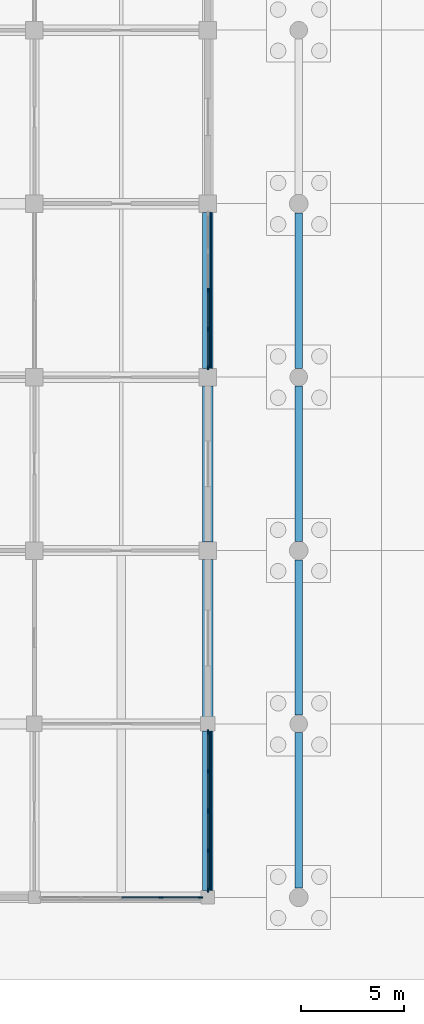
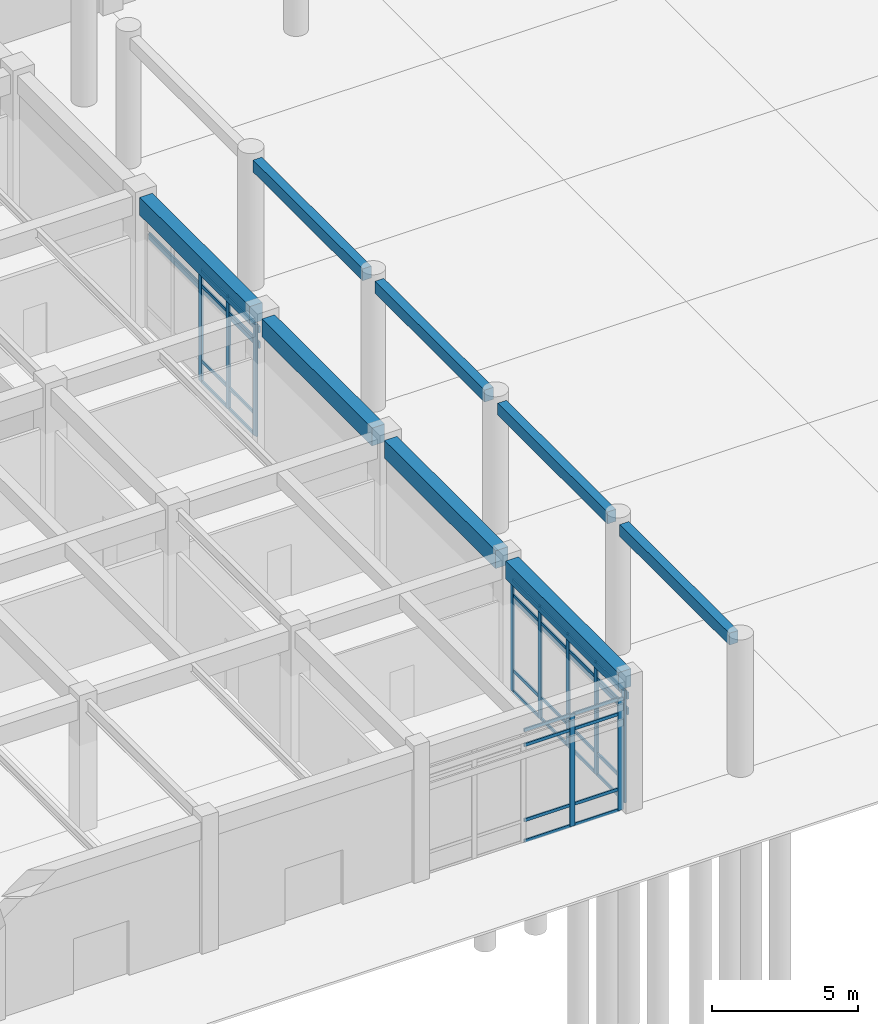
# One storey, part 6 of 91: 46 members, 8 beams, 3 elements without a shape of their own.
"""IFC4 building model written with IfcOpenShell, lengths in metres."""

from ifc_helpers import new_model, si_unit, direction, frame, origin, origin_2d, place, context, subcontext, project, spatial, rectangle, extrude, material, layer, layer_set, material_profile, profile_set, type_object, element, aggregate, save


model = new_model("IFC4")

# Units and contexts
model_context = context("Model", 3, precision=1e-05, world=origin(), true_north=direction((0.0, 1.0)))
body_context = subcontext(model_context, "Body", "Model", "MODEL_VIEW")
ifc_project = project(units=[si_unit("LENGTHUNIT", "METRE"), si_unit("AREAUNIT", "SQUARE_METRE"), si_unit("VOLUMEUNIT", "CUBIC_METRE"), si_unit("PLANEANGLEUNIT", "RADIAN"), si_unit("MASSUNIT", "GRAM", prefix="KILO")], contexts=[model_context])

# Site, building, storey
site_placement = place(None, origin())
site = spatial("IfcSite", under=ifc_project, at=site_placement, CompositionType="ELEMENT")
building_placement = place(site_placement, origin())
building = spatial("IfcBuilding", under=site, at=building_placement, Name="Porcellanite Civic Hall", CompositionType="ELEMENT")
storey_placement = place(building_placement, origin())
storey = spatial("IfcBuildingStorey", under=building, at=storey_placement, Name="L00", CompositionType="ELEMENT", Elevation=0.0)

# Beams
ifc_material_1 = material(Name="Concrete N50 (50 MPa)", Category="concrete")
ifc_material_profile_1 = material_profile(ifc_material_1, rectangle(XDim=0.5, YDim=0.75, at=origin_2d()), Name="RC-500x750")
ifc_profile_set_1 = profile_set([ifc_material_profile_1], Name="Concrete N50 (50 MPa)")
beam_type_1 = type_object("IfcBeamType", Name="BM-RC750", PredefinedType="SPANDREL", material=ifc_profile_set_1)
beam_1_placement = place(storey_placement, frame((33.60009765625, 0.324462890625, 5.125), z_axis=(0.0, 1.0, 0.0), x_axis=(-1.0, 0.0, 0.0)))
element("IfcBeam", 1, at=beam_1_placement, inside=storey, type_object=beam_type_1, Name="Beam Y L00 5-1", PredefinedType="SPANDREL", context=body_context, shape_type="SweptSolid", body=[
    extrude(rectangle(XDim=0.5, YDim=0.75, at=origin_2d()), origin(), (0.0, 0.0, 1.0), 7.72607421875),
])
beam_2_placement = place(storey_placement, frame((33.60009765625, 8.74951171875, 5.125), z_axis=(0.0, 1.0, 0.0), x_axis=(-1.0, 0.0, 0.0)))
element("IfcBeam", 2, at=beam_2_placement, inside=storey, type_object=beam_type_1, Name="Beam Y L00 5-2", PredefinedType="SPANDREL", context=body_context, shape_type="SweptSolid", body=[
    extrude(rectangle(XDim=0.5, YDim=0.75, at=origin_2d()), origin(), (0.0, 0.0, 1.0), 7.6259765625),
])
beam_3_placement = place(storey_placement, frame((33.60009765625, 17.224609375, 5.125), z_axis=(0.0, 1.0, 0.0), x_axis=(-1.0, 0.0, 0.0)))
element("IfcBeam", 3, at=beam_3_placement, inside=storey, type_object=beam_type_1, Name="Beam Y L00 5-3", PredefinedType="SPANDREL", context=body_context, shape_type="SweptSolid", body=[
    extrude(rectangle(XDim=0.5, YDim=0.75, at=origin_2d()), origin(), (0.0, 0.0, 1.0), 7.55078125),
])
beam_4_placement = place(storey_placement, frame((33.60009765625, 25.62451171875, 5.125), z_axis=(0.0, 1.0, 0.0), x_axis=(-1.0, 0.0, 0.0)))
element("IfcBeam", 4, at=beam_4_placement, inside=storey, type_object=beam_type_1, Name="Beam Y L00 5-4", PredefinedType="SPANDREL", context=body_context, shape_type="SweptSolid", body=[
    extrude(rectangle(XDim=0.5, YDim=0.75, at=origin_2d()), origin(), (0.0, 0.0, 1.0), 7.551025390625),
])

# Curtain wall, members
ifc_material_2 = material(Name="Anodised aluminium and solar laminated glass", Category="aluminium")
ifc_layer = layer(ifc_material_2, 0.179931640625)
ifc_layer_set = layer_set([ifc_layer], Name="Anodised aluminium and solar laminated glass")
curtain_wall_type = type_object("IfcCurtainWallType", Name="CW-SYS05", PredefinedType="NOTDEFINED", material=ifc_layer_set)
curtain_wall_1_placement = place(storey_placement, origin())
curtain_wall_1 = element("IfcCurtainWall", 5, at=curtain_wall_1_placement, inside=storey, type_object=curtain_wall_type, Name="Curtain wall CW-010", PredefinedType="NOTDEFINED")
ifc_material_3 = material(Name="Anodised aluminium 6063-T6", Category="aluminium")
ifc_material_profile_2 = material_profile(ifc_material_3, rectangle(XDim=0.070068359375, YDim=0.199951171875, at=origin_2d()), Name="AL-70x200")
ifc_profile_set_2 = profile_set([ifc_material_profile_2], Name="Anodised aluminium 6063-T6")
member_type_1 = type_object("IfcMemberType", Name="CWM-05", PredefinedType="MULLION", material=ifc_profile_set_2)
member_1_placement = place(storey_placement, frame((33.239013671875, 0.0, 0.0), z_axis=(0.0, 0.0, 1.0), x_axis=(0.0, -1.0, 0.0)))
member_1 = element("IfcMember", 6, at=member_1_placement, type_object=member_type_1, Name="CW-010 mullion 1", PredefinedType="MULLION", context=body_context, shape_type="SweptSolid", body=[
    extrude(rectangle(XDim=0.070068359375, YDim=0.199951171875, at=origin_2d()), origin(), (0.0, 0.0, 1.0), 4.699951171875),
])
member_2_placement = place(storey_placement, frame((31.330810546875, 0.0, 0.0), z_axis=(0.0, 0.0, 1.0), x_axis=(0.0, -1.0, 0.0)))
member_2 = element("IfcMember", 7, at=member_2_placement, type_object=member_type_1, Name="CW-010 mullion 2", PredefinedType="MULLION", context=body_context, shape_type="SweptSolid", body=[
    extrude(rectangle(XDim=0.070068359375, YDim=0.199951171875, at=origin_2d()), origin(), (0.0, 0.0, 1.0), 4.699951171875),
])

curtain_wall_2_placement = place(storey_placement, origin())
curtain_wall_2 = element("IfcCurtainWall", 8, at=curtain_wall_2_placement, inside=storey, type_object=curtain_wall_type, Name="Curtain wall CW-011", PredefinedType="NOTDEFINED")
member_3_placement = place(storey_placement, frame((33.60009765625, 8.013916015625, 0.0), z_axis=(0.0, 0.0, 1.0), x_axis=(1.0, 0.0, 0.0)))
member_3 = element("IfcMember", 9, at=member_3_placement, type_object=member_type_1, Name="CW-011 mullion 1", PredefinedType="MULLION", context=body_context, shape_type="SweptSolid", body=[
    extrude(rectangle(XDim=0.070068359375, YDim=0.199951171875, at=origin_2d()), origin(), (0.0, 0.0, 1.0), 4.699951171875),
])
member_4_placement = place(storey_placement, frame((33.60009765625, 6.1181640625, 0.0), z_axis=(0.0, 0.0, 1.0), x_axis=(1.0, 0.0, 0.0)))
member_4 = element("IfcMember", 10, at=member_4_placement, type_object=member_type_1, Name="CW-011 mullion 2", PredefinedType="MULLION", context=body_context, shape_type="SweptSolid", body=[
    extrude(rectangle(XDim=0.070068359375, YDim=0.199951171875, at=origin_2d()), origin(), (0.0, 0.0, 1.0), 4.699951171875),
])
member_5_placement = place(storey_placement, frame((33.60009765625, 4.1875, 0.0), z_axis=(0.0, 0.0, 1.0), x_axis=(1.0, 0.0, 0.0)))
member_5 = element("IfcMember", 11, at=member_5_placement, type_object=member_type_1, Name="CW-011 mullion 3", PredefinedType="MULLION", context=body_context, shape_type="SweptSolid", body=[
    extrude(rectangle(XDim=0.070068359375, YDim=0.199951171875, at=origin_2d()), origin(), (0.0, 0.0, 1.0), 4.699951171875),
])
member_6_placement = place(storey_placement, frame((33.60009765625, 2.2568359375, 0.0), z_axis=(0.0, 0.0, 1.0), x_axis=(1.0, 0.0, 0.0)))
member_6 = element("IfcMember", 12, at=member_6_placement, type_object=member_type_1, Name="CW-011 mullion 4", PredefinedType="MULLION", context=body_context, shape_type="SweptSolid", body=[
    extrude(rectangle(XDim=0.070068359375, YDim=0.199951171875, at=origin_2d()), origin(), (0.0, 0.0, 1.0), 4.699951171875),
])
member_7_placement = place(storey_placement, frame((33.60009765625, 0.361083984375, 0.0), z_axis=(0.0, 0.0, 1.0), x_axis=(1.0, 0.0, 0.0)))
member_7 = element("IfcMember", 13, at=member_7_placement, type_object=member_type_1, Name="CW-011 mullion 5", PredefinedType="MULLION", context=body_context, shape_type="SweptSolid", body=[
    extrude(rectangle(XDim=0.070068359375, YDim=0.199951171875, at=origin_2d()), origin(), (0.0, 0.0, 1.0), 4.699951171875),
])

curtain_wall_3_placement = place(storey_placement, origin())
curtain_wall_3 = element("IfcCurtainWall", 14, at=curtain_wall_3_placement, inside=storey, type_object=curtain_wall_type, Name="Curtain wall CW-012", PredefinedType="NOTDEFINED")
member_8_placement = place(storey_placement, frame((33.60009765625, 29.39990234375, 0.0), z_axis=(0.0, 0.0, 1.0), x_axis=(1.0, 0.0, 0.0)))
member_8 = element("IfcMember", 15, at=member_8_placement, type_object=member_type_1, Name="CW-012 mullion 3", PredefinedType="MULLION", context=body_context, shape_type="SweptSolid", body=[
    extrude(rectangle(XDim=0.070068359375, YDim=0.199951171875, at=origin_2d()), origin(), (0.0, 0.0, 1.0), 4.699951171875),
])
member_9_placement = place(storey_placement, frame((33.60009765625, 27.512939453125, 0.0), z_axis=(0.0, 0.0, 1.0), x_axis=(1.0, 0.0, 0.0)))
member_9 = element("IfcMember", 16, at=member_9_placement, type_object=member_type_1, Name="CW-012 mullion 4", PredefinedType="MULLION", context=body_context, shape_type="SweptSolid", body=[
    extrude(rectangle(XDim=0.070068359375, YDim=0.199951171875, at=origin_2d()), origin(), (0.0, 0.0, 1.0), 4.699951171875),
])
member_10_placement = place(storey_placement, frame((33.60009765625, 25.660888671875, 0.0), z_axis=(0.0, 0.0, 1.0), x_axis=(1.0, 0.0, 0.0)))
member_10 = element("IfcMember", 17, at=member_10_placement, type_object=member_type_1, Name="CW-012 mullion 5", PredefinedType="MULLION", context=body_context, shape_type="SweptSolid", body=[
    extrude(rectangle(XDim=0.070068359375, YDim=0.199951171875, at=origin_2d()), origin(), (0.0, 0.0, 1.0), 4.699951171875),
])

# Member
ifc_material_4 = material(Name="Anodised aluminium 6063-T6", Category="aluminium")
ifc_material_profile_3 = material_profile(ifc_material_4, rectangle(XDim=0.06005859375, YDim=0.1298828125, at=origin_2d()), Name="AL-60x130")
ifc_profile_set_3 = profile_set([ifc_material_profile_3], Name="Anodised aluminium 6063-T6")
member_type_2 = type_object("IfcMemberType", Name="CWT-03", PredefinedType="USERDEFINED", material=ifc_profile_set_3)
member_11_placement = place(storey_placement, frame((33.2041015625, 0.0, 0.030029296875), z_axis=(-1.0, 0.0, 0.0), x_axis=(0.0, -1.0, 0.0)))
member_11 = element("IfcMember", 18, at=member_11_placement, type_object=member_type_2, Name="CW-010 transom 1.1", ObjectType="TRANSOM", PredefinedType="USERDEFINED", context=body_context, shape_type="SweptSolid", body=[
    extrude(rectangle(XDim=0.06005859375, YDim=0.1298828125, at=origin_2d()), origin(), (0.0, 0.0, 1.0), 1.83837890625),
])

member_12_placement = place(storey_placement, frame((33.2041015625, 0.0, 0.89990234375), z_axis=(-1.0, 0.0, 0.0), x_axis=(0.0, -1.0, 0.0)))
member_12 = element("IfcMember", 19, at=member_12_placement, type_object=member_type_2, Name="CW-010 transom 1.2", ObjectType="TRANSOM", PredefinedType="USERDEFINED", context=body_context, shape_type="SweptSolid", body=[
    extrude(rectangle(XDim=0.06005859375, YDim=0.1298828125, at=origin_2d()), origin(), (0.0, 0.0, 1.0), 1.83837890625),
])

member_13_placement = place(storey_placement, frame((33.2041015625, 0.0, 4.050048828125), z_axis=(-1.0, 0.0, 0.0), x_axis=(0.0, -1.0, 0.0)))
member_13 = element("IfcMember", 20, at=member_13_placement, type_object=member_type_2, Name="CW-010 transom 1.3", ObjectType="TRANSOM", PredefinedType="USERDEFINED", context=body_context, shape_type="SweptSolid", body=[
    extrude(rectangle(XDim=0.06005859375, YDim=0.1298828125, at=origin_2d()), origin(), (0.0, 0.0, 1.0), 1.83837890625),
])

member_14_placement = place(storey_placement, frame((33.2041015625, 0.0, 4.669921875), z_axis=(-1.0, 0.0, 0.0), x_axis=(0.0, -1.0, 0.0)))
member_14 = element("IfcMember", 21, at=member_14_placement, type_object=member_type_2, Name="CW-010 transom 1.4", ObjectType="TRANSOM", PredefinedType="USERDEFINED", context=body_context, shape_type="SweptSolid", body=[
    extrude(rectangle(XDim=0.06005859375, YDim=0.1298828125, at=origin_2d()), origin(), (0.0, 0.0, 1.0), 1.83837890625),
])

member_15_placement = place(storey_placement, frame((31.295654296875, 0.0, 0.030029296875), z_axis=(-1.0, 0.0, 0.0), x_axis=(0.0, -1.0, 0.0)))
member_15 = element("IfcMember", 22, at=member_15_placement, type_object=member_type_2, Name="CW-010 transom 2.1", ObjectType="TRANSOM", PredefinedType="USERDEFINED", context=body_context, shape_type="SweptSolid", body=[
    extrude(rectangle(XDim=0.06005859375, YDim=0.1298828125, at=origin_2d()), origin(), (0.0, 0.0, 1.0), 1.873046875),
])

member_16_placement = place(storey_placement, frame((31.295654296875, 0.0, 0.89990234375), z_axis=(-1.0, 0.0, 0.0), x_axis=(0.0, -1.0, 0.0)))
member_16 = element("IfcMember", 23, at=member_16_placement, type_object=member_type_2, Name="CW-010 transom 2.2", ObjectType="TRANSOM", PredefinedType="USERDEFINED", context=body_context, shape_type="SweptSolid", body=[
    extrude(rectangle(XDim=0.06005859375, YDim=0.1298828125, at=origin_2d()), origin(), (0.0, 0.0, 1.0), 1.873046875),
])

member_17_placement = place(storey_placement, frame((31.295654296875, 0.0, 4.050048828125), z_axis=(-1.0, 0.0, 0.0), x_axis=(0.0, -1.0, 0.0)))
member_17 = element("IfcMember", 24, at=member_17_placement, type_object=member_type_2, Name="CW-010 transom 2.3", ObjectType="TRANSOM", PredefinedType="USERDEFINED", context=body_context, shape_type="SweptSolid", body=[
    extrude(rectangle(XDim=0.06005859375, YDim=0.1298828125, at=origin_2d()), origin(), (0.0, 0.0, 1.0), 1.873046875),
])

member_18_placement = place(storey_placement, frame((31.295654296875, 0.0, 4.669921875), z_axis=(-1.0, 0.0, 0.0), x_axis=(0.0, -1.0, 0.0)))
member_18 = element("IfcMember", 25, at=member_18_placement, type_object=member_type_2, Name="CW-010 transom 2.4", ObjectType="TRANSOM", PredefinedType="USERDEFINED", context=body_context, shape_type="SweptSolid", body=[
    extrude(rectangle(XDim=0.06005859375, YDim=0.1298828125, at=origin_2d()), origin(), (0.0, 0.0, 1.0), 1.873046875),
])

aggregate(curtain_wall_1, [member_1, member_2, member_11, member_12, member_13, member_14, member_15, member_16, member_17, member_18])

member_19_placement = place(storey_placement, frame((33.60009765625, 7.97900390625, 0.030029296875), z_axis=(0.0, -1.0, 0.0), x_axis=(1.0, 0.0, 0.0)))
member_19 = element("IfcMember", 26, at=member_19_placement, type_object=member_type_2, Name="CW-011 transom 1.1", ObjectType="TRANSOM", PredefinedType="USERDEFINED", context=body_context, shape_type="SweptSolid", body=[
    extrude(rectangle(XDim=0.06005859375, YDim=0.1298828125, at=origin_2d()), origin(), (0.0, 0.0, 1.0), 1.82568359375),
])

member_20_placement = place(storey_placement, frame((33.60009765625, 7.97900390625, 0.89990234375), z_axis=(0.0, -1.0, 0.0), x_axis=(1.0, 0.0, 0.0)))
member_20 = element("IfcMember", 27, at=member_20_placement, type_object=member_type_2, Name="CW-011 transom 1.2", ObjectType="TRANSOM", PredefinedType="USERDEFINED", context=body_context, shape_type="SweptSolid", body=[
    extrude(rectangle(XDim=0.06005859375, YDim=0.1298828125, at=origin_2d()), origin(), (0.0, 0.0, 1.0), 1.82568359375),
])

member_21_placement = place(storey_placement, frame((33.60009765625, 7.97900390625, 4.050048828125), z_axis=(0.0, -1.0, 0.0), x_axis=(1.0, 0.0, 0.0)))
member_21 = element("IfcMember", 28, at=member_21_placement, type_object=member_type_2, Name="CW-011 transom 1.3", ObjectType="TRANSOM", PredefinedType="USERDEFINED", context=body_context, shape_type="SweptSolid", body=[
    extrude(rectangle(XDim=0.06005859375, YDim=0.1298828125, at=origin_2d()), origin(), (0.0, 0.0, 1.0), 1.82568359375),
])

member_22_placement = place(storey_placement, frame((33.60009765625, 7.97900390625, 4.669921875), z_axis=(0.0, -1.0, 0.0), x_axis=(1.0, 0.0, 0.0)))
member_22 = element("IfcMember", 29, at=member_22_placement, type_object=member_type_2, Name="CW-011 transom 1.4", ObjectType="TRANSOM", PredefinedType="USERDEFINED", context=body_context, shape_type="SweptSolid", body=[
    extrude(rectangle(XDim=0.06005859375, YDim=0.1298828125, at=origin_2d()), origin(), (0.0, 0.0, 1.0), 1.82568359375),
])

member_23_placement = place(storey_placement, frame((33.60009765625, 6.083251953125, 0.030029296875), z_axis=(0.0, -1.0, 0.0), x_axis=(1.0, 0.0, 0.0)))
member_23 = element("IfcMember", 30, at=member_23_placement, type_object=member_type_2, Name="CW-011 transom 2.1", ObjectType="TRANSOM", PredefinedType="USERDEFINED", context=body_context, shape_type="SweptSolid", body=[
    extrude(rectangle(XDim=0.06005859375, YDim=0.1298828125, at=origin_2d()), origin(), (0.0, 0.0, 1.0), 1.86083984375),
])

member_24_placement = place(storey_placement, frame((33.60009765625, 6.083251953125, 0.89990234375), z_axis=(0.0, -1.0, 0.0), x_axis=(1.0, 0.0, 0.0)))
member_24 = element("IfcMember", 31, at=member_24_placement, type_object=member_type_2, Name="CW-011 transom 2.2", ObjectType="TRANSOM", PredefinedType="USERDEFINED", context=body_context, shape_type="SweptSolid", body=[
    extrude(rectangle(XDim=0.06005859375, YDim=0.1298828125, at=origin_2d()), origin(), (0.0, 0.0, 1.0), 1.86083984375),
])

member_25_placement = place(storey_placement, frame((33.60009765625, 6.083251953125, 4.050048828125), z_axis=(0.0, -1.0, 0.0), x_axis=(1.0, 0.0, 0.0)))
member_25 = element("IfcMember", 32, at=member_25_placement, type_object=member_type_2, Name="CW-011 transom 2.3", ObjectType="TRANSOM", PredefinedType="USERDEFINED", context=body_context, shape_type="SweptSolid", body=[
    extrude(rectangle(XDim=0.06005859375, YDim=0.1298828125, at=origin_2d()), origin(), (0.0, 0.0, 1.0), 1.86083984375),
])

member_26_placement = place(storey_placement, frame((33.60009765625, 6.083251953125, 4.669921875), z_axis=(0.0, -1.0, 0.0), x_axis=(1.0, 0.0, 0.0)))
member_26 = element("IfcMember", 33, at=member_26_placement, type_object=member_type_2, Name="CW-011 transom 2.4", ObjectType="TRANSOM", PredefinedType="USERDEFINED", context=body_context, shape_type="SweptSolid", body=[
    extrude(rectangle(XDim=0.06005859375, YDim=0.1298828125, at=origin_2d()), origin(), (0.0, 0.0, 1.0), 1.86083984375),
])

member_27_placement = place(storey_placement, frame((33.60009765625, 4.152587890625, 0.030029296875), z_axis=(0.0, -1.0, 0.0), x_axis=(1.0, 0.0, 0.0)))
member_27 = element("IfcMember", 34, at=member_27_placement, type_object=member_type_2, Name="CW-011 transom 3.1", ObjectType="TRANSOM", PredefinedType="USERDEFINED", context=body_context, shape_type="SweptSolid", body=[
    extrude(rectangle(XDim=0.06005859375, YDim=0.1298828125, at=origin_2d()), origin(), (0.0, 0.0, 1.0), 1.86083984375),
])

member_28_placement = place(storey_placement, frame((33.60009765625, 4.152587890625, 0.89990234375), z_axis=(0.0, -1.0, 0.0), x_axis=(1.0, 0.0, 0.0)))
member_28 = element("IfcMember", 35, at=member_28_placement, type_object=member_type_2, Name="CW-011 transom 3.2", ObjectType="TRANSOM", PredefinedType="USERDEFINED", context=body_context, shape_type="SweptSolid", body=[
    extrude(rectangle(XDim=0.06005859375, YDim=0.1298828125, at=origin_2d()), origin(), (0.0, 0.0, 1.0), 1.86083984375),
])

member_29_placement = place(storey_placement, frame((33.60009765625, 4.152587890625, 4.050048828125), z_axis=(0.0, -1.0, 0.0), x_axis=(1.0, 0.0, 0.0)))
member_29 = element("IfcMember", 36, at=member_29_placement, type_object=member_type_2, Name="CW-011 transom 3.3", ObjectType="TRANSOM", PredefinedType="USERDEFINED", context=body_context, shape_type="SweptSolid", body=[
    extrude(rectangle(XDim=0.06005859375, YDim=0.1298828125, at=origin_2d()), origin(), (0.0, 0.0, 1.0), 1.86083984375),
])

member_30_placement = place(storey_placement, frame((33.60009765625, 4.152587890625, 4.669921875), z_axis=(0.0, -1.0, 0.0), x_axis=(1.0, 0.0, 0.0)))
member_30 = element("IfcMember", 37, at=member_30_placement, type_object=member_type_2, Name="CW-011 transom 3.4", ObjectType="TRANSOM", PredefinedType="USERDEFINED", context=body_context, shape_type="SweptSolid", body=[
    extrude(rectangle(XDim=0.06005859375, YDim=0.1298828125, at=origin_2d()), origin(), (0.0, 0.0, 1.0), 1.86083984375),
])

member_31_placement = place(storey_placement, frame((33.60009765625, 2.2216796875, 0.030029296875), z_axis=(0.0, -1.0, 0.0), x_axis=(1.0, 0.0, 0.0)))
member_31 = element("IfcMember", 38, at=member_31_placement, type_object=member_type_2, Name="CW-011 transom 4.1", ObjectType="TRANSOM", PredefinedType="USERDEFINED", context=body_context, shape_type="SweptSolid", body=[
    extrude(rectangle(XDim=0.06005859375, YDim=0.1298828125, at=origin_2d()), origin(), (0.0, 0.0, 1.0), 1.82568359375),
])

member_32_placement = place(storey_placement, frame((33.60009765625, 2.2216796875, 0.89990234375), z_axis=(0.0, -1.0, 0.0), x_axis=(1.0, 0.0, 0.0)))
member_32 = element("IfcMember", 39, at=member_32_placement, type_object=member_type_2, Name="CW-011 transom 4.2", ObjectType="TRANSOM", PredefinedType="USERDEFINED", context=body_context, shape_type="SweptSolid", body=[
    extrude(rectangle(XDim=0.06005859375, YDim=0.1298828125, at=origin_2d()), origin(), (0.0, 0.0, 1.0), 1.82568359375),
])

member_33_placement = place(storey_placement, frame((33.60009765625, 2.2216796875, 4.050048828125), z_axis=(0.0, -1.0, 0.0), x_axis=(1.0, 0.0, 0.0)))
member_33 = element("IfcMember", 40, at=member_33_placement, type_object=member_type_2, Name="CW-011 transom 4.3", ObjectType="TRANSOM", PredefinedType="USERDEFINED", context=body_context, shape_type="SweptSolid", body=[
    extrude(rectangle(XDim=0.06005859375, YDim=0.1298828125, at=origin_2d()), origin(), (0.0, 0.0, 1.0), 1.82568359375),
])

member_34_placement = place(storey_placement, frame((33.60009765625, 2.2216796875, 4.669921875), z_axis=(0.0, -1.0, 0.0), x_axis=(1.0, 0.0, 0.0)))
member_34 = element("IfcMember", 41, at=member_34_placement, type_object=member_type_2, Name="CW-011 transom 4.4", ObjectType="TRANSOM", PredefinedType="USERDEFINED", context=body_context, shape_type="SweptSolid", body=[
    extrude(rectangle(XDim=0.06005859375, YDim=0.1298828125, at=origin_2d()), origin(), (0.0, 0.0, 1.0), 1.82568359375),
])

aggregate(curtain_wall_2, [member_3, member_4, member_5, member_6, member_7, member_19, member_20, member_21, member_22, member_23, member_24, member_25, member_26, member_27, member_28, member_29, member_30, member_31, member_32, member_33, member_34])

member_35_placement = place(storey_placement, frame((33.60009765625, 29.364990234375, 0.030029296875), z_axis=(0.0, -1.0, 0.0), x_axis=(1.0, 0.0, 0.0)))
member_35 = element("IfcMember", 42, at=member_35_placement, type_object=member_type_2, Name="CW-012 transom 3.1", ObjectType="TRANSOM", PredefinedType="USERDEFINED", context=body_context, shape_type="SweptSolid", body=[
    extrude(rectangle(XDim=0.06005859375, YDim=0.1298828125, at=origin_2d()), origin(), (0.0, 0.0, 1.0), 1.81689453125),
])

member_36_placement = place(storey_placement, frame((33.60009765625, 29.364990234375, 0.89990234375), z_axis=(0.0, -1.0, 0.0), x_axis=(1.0, 0.0, 0.0)))
member_36 = element("IfcMember", 43, at=member_36_placement, type_object=member_type_2, Name="CW-012 transom 3.2", ObjectType="TRANSOM", PredefinedType="USERDEFINED", context=body_context, shape_type="SweptSolid", body=[
    extrude(rectangle(XDim=0.06005859375, YDim=0.1298828125, at=origin_2d()), origin(), (0.0, 0.0, 1.0), 1.81689453125),
])

member_37_placement = place(storey_placement, frame((33.60009765625, 29.364990234375, 4.050048828125), z_axis=(0.0, -1.0, 0.0), x_axis=(1.0, 0.0, 0.0)))
member_37 = element("IfcMember", 44, at=member_37_placement, type_object=member_type_2, Name="CW-012 transom 3.3", ObjectType="TRANSOM", PredefinedType="USERDEFINED", context=body_context, shape_type="SweptSolid", body=[
    extrude(rectangle(XDim=0.06005859375, YDim=0.1298828125, at=origin_2d()), origin(), (0.0, 0.0, 1.0), 1.81689453125),
])

member_38_placement = place(storey_placement, frame((33.60009765625, 29.364990234375, 4.669921875), z_axis=(0.0, -1.0, 0.0), x_axis=(1.0, 0.0, 0.0)))
member_38 = element("IfcMember", 45, at=member_38_placement, type_object=member_type_2, Name="CW-012 transom 3.4", ObjectType="TRANSOM", PredefinedType="USERDEFINED", context=body_context, shape_type="SweptSolid", body=[
    extrude(rectangle(XDim=0.06005859375, YDim=0.1298828125, at=origin_2d()), origin(), (0.0, 0.0, 1.0), 1.81689453125),
])

member_39_placement = place(storey_placement, frame((33.60009765625, 27.47802734375, 0.030029296875), z_axis=(0.0, -1.0, 0.0), x_axis=(1.0, 0.0, 0.0)))
member_39 = element("IfcMember", 46, at=member_39_placement, type_object=member_type_2, Name="CW-012 transom 4.1", ObjectType="TRANSOM", PredefinedType="USERDEFINED", context=body_context, shape_type="SweptSolid", body=[
    extrude(rectangle(XDim=0.06005859375, YDim=0.1298828125, at=origin_2d()), origin(), (0.0, 0.0, 1.0), 1.781982421875),
])

member_40_placement = place(storey_placement, frame((33.60009765625, 27.47802734375, 0.89990234375), z_axis=(0.0, -1.0, 0.0), x_axis=(1.0, 0.0, 0.0)))
member_40 = element("IfcMember", 47, at=member_40_placement, type_object=member_type_2, Name="CW-012 transom 4.2", ObjectType="TRANSOM", PredefinedType="USERDEFINED", context=body_context, shape_type="SweptSolid", body=[
    extrude(rectangle(XDim=0.06005859375, YDim=0.1298828125, at=origin_2d()), origin(), (0.0, 0.0, 1.0), 1.781982421875),
])

member_41_placement = place(storey_placement, frame((33.60009765625, 27.47802734375, 4.050048828125), z_axis=(0.0, -1.0, 0.0), x_axis=(1.0, 0.0, 0.0)))
member_41 = element("IfcMember", 48, at=member_41_placement, type_object=member_type_2, Name="CW-012 transom 4.3", ObjectType="TRANSOM", PredefinedType="USERDEFINED", context=body_context, shape_type="SweptSolid", body=[
    extrude(rectangle(XDim=0.06005859375, YDim=0.1298828125, at=origin_2d()), origin(), (0.0, 0.0, 1.0), 1.781982421875),
])

member_42_placement = place(storey_placement, frame((33.60009765625, 27.47802734375, 4.669921875), z_axis=(0.0, -1.0, 0.0), x_axis=(1.0, 0.0, 0.0)))
member_42 = element("IfcMember", 49, at=member_42_placement, type_object=member_type_2, Name="CW-012 transom 4.4", ObjectType="TRANSOM", PredefinedType="USERDEFINED", context=body_context, shape_type="SweptSolid", body=[
    extrude(rectangle(XDim=0.06005859375, YDim=0.1298828125, at=origin_2d()), origin(), (0.0, 0.0, 1.0), 1.781982421875),
])

aggregate(curtain_wall_3, [member_8, member_9, member_10, member_35, member_36, member_37, member_38, member_39, member_40, member_41, member_42])

# Beams
ifc_material_5 = material(Name="Concrete N50 (50 MPa)", Category="concrete")
ifc_material_profile_4 = material_profile(ifc_material_5, rectangle(XDim=0.35009765625, YDim=0.5, at=origin_2d()), Name="RC-350x500")
ifc_profile_set_4 = profile_set([ifc_material_profile_4], Name="Concrete N50 (50 MPa)")
beam_type_2 = type_object("IfcBeamType", Name="LN-RC500", PredefinedType="LINTEL", material=ifc_profile_set_4)
for number, where, z_axis, x_axis, name in (
    (50, (38.0, 0.449462890625, 5.260009765625), (0.0, 1.0, 0.0), (-1.0, 0.0, 0.0), "Colonnade keystone beam L00 COL-W-P01"),
    (51, (38.0, 8.824462890625, 5.260009765625), (0.0, 1.0, 0.0), (-1.0, 0.0, 0.0), "Colonnade keystone beam L00 COL-W-P02"),
):
    element("IfcBeam", number, at=place(storey_placement, frame(where, z_axis=z_axis, x_axis=x_axis)), inside=storey, type_object=beam_type_2, Name=name, PredefinedType="LINTEL", context=body_context, shape_type="SweptSolid", body=[
        extrude(rectangle(XDim=0.35009765625, YDim=0.5, at=origin_2d()), origin(), (0.0, 0.0, 1.0), 7.526123046875),
    ])
for number, where, z_axis, x_axis, name in (
    (52, (38.0, 17.24951171875, 5.260009765625), (0.0, 1.0, 0.0), (-1.0, 0.0, 0.0), "Colonnade keystone beam L00 COL-W-P03"),
    (53, (38.0, 25.62451171875, 5.260009765625), (0.0, 1.0, 0.0), (-1.0, 0.0, 0.0), "Colonnade keystone beam L00 COL-W-P04"),
):
    element("IfcBeam", number, at=place(storey_placement, frame(where, z_axis=z_axis, x_axis=x_axis)), inside=storey, type_object=beam_type_2, Name=name, PredefinedType="LINTEL", context=body_context, shape_type="SweptSolid", body=[
        extrude(rectangle(XDim=0.35009765625, YDim=0.5, at=origin_2d()), origin(), (0.0, 0.0, 1.0), 7.52587890625),
    ])

# Members
ifc_material_6 = material(Name="Fluoropolymer bauxite-red aluminium 6063-T6", Category="aluminium")
ifc_material_profile_5 = material_profile(ifc_material_6, rectangle(XDim=0.070068359375, YDim=0.280029296875, at=origin_2d()), Name="AL-70x280")
ifc_profile_set_5 = profile_set([ifc_material_profile_5], Name="Fluoropolymer bauxite-red aluminium 6063-T6")
member_type_3 = type_object("IfcMemberType", Name="LV-BLD05", PredefinedType="USERDEFINED", material=ifc_profile_set_5)
for number, where, z_axis, x_axis, name in (
    (54, (33.737060546875, 8.050537109375, 4.39990234375), (0.0, -1.0, 0.0), (1.0, 0.0, 0.0), "Cyclone sunshade louvre L00 E 3-0 1"),
    (55, (33.737060546875, 8.050537109375, 3.75), (0.0, -1.0, 0.0), (1.0, 0.0, 0.0), "Cyclone sunshade louvre L00 E 3-0 2"),
):
    element("IfcMember", number, at=place(storey_placement, frame(where, z_axis=z_axis, x_axis=x_axis)), inside=storey, type_object=member_type_3, Name=name, ObjectType="LOUVRE BLADE", PredefinedType="USERDEFINED", context=body_context, shape_type="SweptSolid", body=[
        extrude(rectangle(XDim=0.070068359375, YDim=0.280029296875, at=origin_2d()), origin(), (0.0, 0.0, 1.0), 7.72607421875),
    ])
for number, where, z_axis, x_axis, name in (
    (56, (33.737060546875, 33.175537109375, 4.39990234375), (0.0, -1.0, 0.0), (1.0, 0.0, 0.0), "Cyclone sunshade louvre L00 E 3-3 1"),
    (57, (33.737060546875, 33.175537109375, 3.75), (0.0, -1.0, 0.0), (1.0, 0.0, 0.0), "Cyclone sunshade louvre L00 E 3-3 2"),
):
    element("IfcMember", number, at=place(storey_placement, frame(where, z_axis=z_axis, x_axis=x_axis)), inside=storey, type_object=member_type_3, Name=name, ObjectType="LOUVRE BLADE", PredefinedType="USERDEFINED", context=body_context, shape_type="SweptSolid", body=[
        extrude(rectangle(XDim=0.070068359375, YDim=0.280029296875, at=origin_2d()), origin(), (0.0, 0.0, 1.0), 7.551025390625),
    ])

save(model, "model.ifc")
